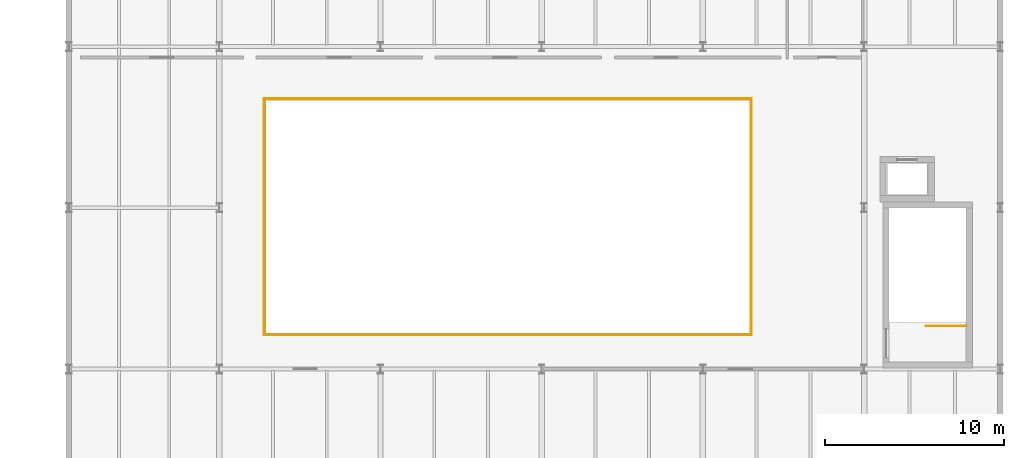
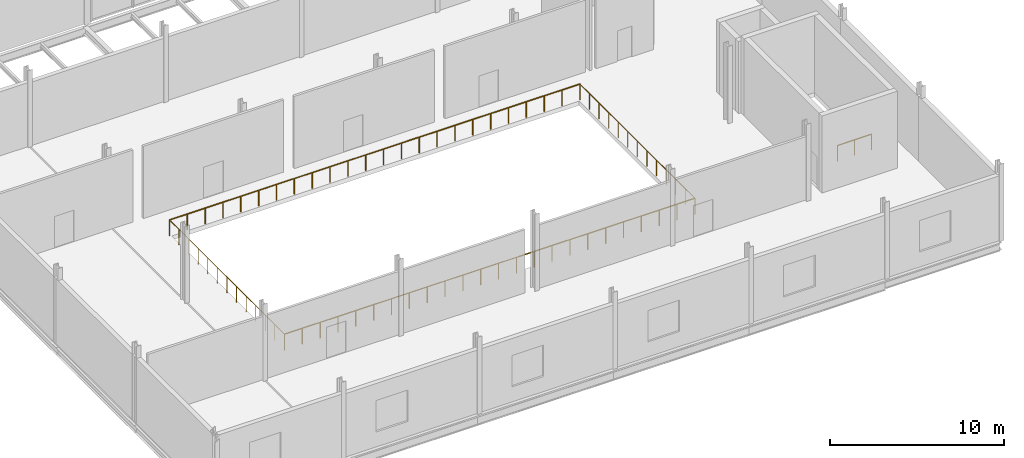
# One storey, part 75 of 78: 5 railings.
"""IFC4 building model written with IfcOpenShell, lengths in metres."""

from ifc_helpers import new_model, si_unit, direction, frame, origin, origin_2d, place, context, subcontext, project, spatial, circle, extrude, material, type_object, element, save


model = new_model("IFC4")

# Units and contexts
model_context = context("Model", 3, precision=1e-05, world=origin(), true_north=direction((0.0, 1.0)))
body_context = subcontext(model_context, "Body", "Model", "MODEL_VIEW")
ifc_project = project(units=[si_unit("LENGTHUNIT", "METRE"), si_unit("AREAUNIT", "SQUARE_METRE"), si_unit("VOLUMEUNIT", "CUBIC_METRE"), si_unit("PLANEANGLEUNIT", "RADIAN"), si_unit("MASSUNIT", "GRAM", prefix="KILO")], contexts=[model_context])

# Site, building, storey
site_placement = place(None, origin())
site = spatial("IfcSite", under=ifc_project, at=site_placement, CompositionType="ELEMENT")
building_placement = place(site_placement, origin())
building = spatial("IfcBuilding", under=site, at=building_placement, Name="Sefraquen Railside Congress Hotel", CompositionType="ELEMENT")
storey_placement = place(building_placement, frame((0.0, 0.0, 6.0)))
storey = spatial("IfcBuildingStorey", under=building, at=storey_placement, Name="L01", CompositionType="ELEMENT", Elevation=6.0)

# Railings
ifc_material = material(Name="Patinated wrought architectural bronze", Category="metal")
railing_type = type_object("IfcRailingType", Name="TRL-BAL-110", PredefinedType="BALUSTRADE", material=ifc_material)
railing_1_placement = place(storey_placement, frame((130.89990234375, 19.89990234375, 0.0)))
element("IfcRailing", 1, at=railing_1_placement, inside=storey, type_object=railing_type, Name="Thermal Spa L01 pool overlook gallery guard", PredefinedType="BALUSTRADE", context=body_context, shape_type="SweptSolid", body=[
    extrude(circle(Radius=0.02392578125, at=origin_2d()), frame((0.0, 0.0, 1.09619140625), z_axis=(1.0, 0.0, 0.0), x_axis=(0.0, 1.0, 0.0)), (0.0, 0.0, 1.0), 27.2001953125),
    extrude(circle(Radius=0.02099609375, at=origin_2d()), origin(), (0.0, 0.0, 1.0), 1.072021484375),
    extrude(circle(Radius=0.02099609375, at=origin_2d()), frame((1.1826171875, 0.0, 0.0)), (0.0, 0.0, 1.0), 1.072021484375),
    extrude(circle(Radius=0.02099609375, at=origin_2d()), frame((2.365234375, 0.0, 0.0)), (0.0, 0.0, 1.0), 1.072021484375),
    extrude(circle(Radius=0.02099609375, at=origin_2d()), frame((3.5478515625, 0.0, 0.0)), (0.0, 0.0, 1.0), 1.072021484375),
    extrude(circle(Radius=0.02099609375, at=origin_2d()), frame((4.73046875, 0.0, 0.0)), (0.0, 0.0, 1.0), 1.072021484375),
    extrude(circle(Radius=0.02099609375, at=origin_2d()), frame((5.9130859375, 0.0, 0.0)), (0.0, 0.0, 1.0), 1.072021484375),
    extrude(circle(Radius=0.02099609375, at=origin_2d()), frame((7.095703125, 0.0, 0.0)), (0.0, 0.0, 1.0), 1.072021484375),
    extrude(circle(Radius=0.02099609375, at=origin_2d()), frame((8.2783203125, 0.0, 0.0)), (0.0, 0.0, 1.0), 1.072021484375),
    extrude(circle(Radius=0.02099609375, at=origin_2d()), frame((9.4609375, 0.0, 0.0)), (0.0, 0.0, 1.0), 1.072021484375),
    extrude(circle(Radius=0.02099609375, at=origin_2d()), frame((10.6435546875, 0.0, 0.0)), (0.0, 0.0, 1.0), 1.072021484375),
    extrude(circle(Radius=0.02099609375, at=origin_2d()), frame((11.826171875, 0.0, 0.0)), (0.0, 0.0, 1.0), 1.072021484375),
    extrude(circle(Radius=0.02099609375, at=origin_2d()), frame((13.0087890625, 0.0, 0.0)), (0.0, 0.0, 1.0), 1.072021484375),
    extrude(circle(Radius=0.02099609375, at=origin_2d()), frame((14.19140625, 0.0, 0.0)), (0.0, 0.0, 1.0), 1.072021484375),
    extrude(circle(Radius=0.02099609375, at=origin_2d()), frame((15.3740234375, 0.0, 0.0)), (0.0, 0.0, 1.0), 1.072021484375),
    extrude(circle(Radius=0.02099609375, at=origin_2d()), frame((16.556640625, 0.0, 0.0)), (0.0, 0.0, 1.0), 1.072021484375),
    extrude(circle(Radius=0.02099609375, at=origin_2d()), frame((17.7392578125, 0.0, 0.0)), (0.0, 0.0, 1.0), 1.072021484375),
    extrude(circle(Radius=0.02099609375, at=origin_2d()), frame((18.921875, 0.0, 0.0)), (0.0, 0.0, 1.0), 1.072021484375),
    extrude(circle(Radius=0.02099609375, at=origin_2d()), frame((20.1044921875, 0.0, 0.0)), (0.0, 0.0, 1.0), 1.072021484375),
    extrude(circle(Radius=0.02099609375, at=origin_2d()), frame((21.287109375, 0.0, 0.0)), (0.0, 0.0, 1.0), 1.072021484375),
    extrude(circle(Radius=0.02099609375, at=origin_2d()), frame((22.4697265625, 0.0, 0.0)), (0.0, 0.0, 1.0), 1.072021484375),
    extrude(circle(Radius=0.02099609375, at=origin_2d()), frame((23.65234375, 0.0, 0.0)), (0.0, 0.0, 1.0), 1.072021484375),
    extrude(circle(Radius=0.02099609375, at=origin_2d()), frame((24.8349609375, 0.0, 0.0)), (0.0, 0.0, 1.0), 1.072021484375),
    extrude(circle(Radius=0.02099609375, at=origin_2d()), frame((26.017578125, 0.0, 0.0)), (0.0, 0.0, 1.0), 1.072021484375),
    extrude(circle(Radius=0.02099609375, at=origin_2d()), frame((27.2001953125, 0.0, 0.0)), (0.0, 0.0, 1.0), 1.072021484375),
])
railing_2_placement = place(storey_placement, frame((158.10009765625, 19.89990234375, 0.0)))
element("IfcRailing", 2, at=railing_2_placement, inside=storey, type_object=railing_type, Name="Thermal Spa L01 pool overlook gallery guard", PredefinedType="BALUSTRADE", context=body_context, shape_type="SweptSolid", body=[
    extrude(circle(Radius=0.02392578125, at=origin_2d()), frame((0.0, 0.0, 1.09619140625), z_axis=(0.0, 1.0, 0.0), x_axis=(-1.0, 0.0, 0.0)), (0.0, 0.0, 1.0), 13.2001953125),
    extrude(circle(Radius=0.02099609375, at=origin_2d()), origin(), (0.0, 0.0, 1.0), 1.072021484375),
    extrude(circle(Radius=0.02099609375, at=origin_2d()), frame((0.0, 1.10009765625, 0.0)), (0.0, 0.0, 1.0), 1.072021484375),
    extrude(circle(Radius=0.02099609375, at=origin_2d()), frame((0.0, 2.199951171875, 0.0)), (0.0, 0.0, 1.0), 1.072021484375),
    extrude(circle(Radius=0.02099609375, at=origin_2d()), frame((0.0, 3.300048828125, 0.0)), (0.0, 0.0, 1.0), 1.072021484375),
    extrude(circle(Radius=0.02099609375, at=origin_2d()), frame((0.0, 4.400146484375, 0.0)), (0.0, 0.0, 1.0), 1.072021484375),
    extrude(circle(Radius=0.02099609375, at=origin_2d()), frame((0.0, 5.5, 0.0)), (0.0, 0.0, 1.0), 1.072021484375),
    extrude(circle(Radius=0.02099609375, at=origin_2d()), frame((0.0, 6.60009765625, 0.0)), (0.0, 0.0, 1.0), 1.072021484375),
    extrude(circle(Radius=0.02099609375, at=origin_2d()), frame((0.0, 7.7001953125, 0.0)), (0.0, 0.0, 1.0), 1.072021484375),
    extrude(circle(Radius=0.02099609375, at=origin_2d()), frame((0.0, 8.800048828125, 0.0)), (0.0, 0.0, 1.0), 1.072021484375),
    extrude(circle(Radius=0.02099609375, at=origin_2d()), frame((0.0, 9.900146484375, 0.0)), (0.0, 0.0, 1.0), 1.072021484375),
    extrude(circle(Radius=0.02099609375, at=origin_2d()), frame((0.0, 11.000244140625, 0.0)), (0.0, 0.0, 1.0), 1.072021484375),
    extrude(circle(Radius=0.02099609375, at=origin_2d()), frame((0.0, 12.10009765625, 0.0)), (0.0, 0.0, 1.0), 1.072021484375),
    extrude(circle(Radius=0.02099609375, at=origin_2d()), frame((0.0, 13.2001953125, 0.0)), (0.0, 0.0, 1.0), 1.072021484375),
])
railing_3_placement = place(storey_placement, frame((158.10009765625, 33.10009765625, 0.0)))
element("IfcRailing", 3, at=railing_3_placement, inside=storey, type_object=railing_type, Name="Thermal Spa L01 pool overlook gallery guard", PredefinedType="BALUSTRADE", context=body_context, shape_type="SweptSolid", body=[
    extrude(circle(Radius=0.02392578125, at=origin_2d()), frame((0.0, 0.0, 1.09619140625), z_axis=(-1.0, 0.0, 0.0), x_axis=(0.0, -1.0, 0.0)), (0.0, 0.0, 1.0), 27.2001953125),
    extrude(circle(Radius=0.02099609375, at=origin_2d()), origin(), (0.0, 0.0, 1.0), 1.072021484375),
    extrude(circle(Radius=0.02099609375, at=origin_2d()), frame((-1.1826171875, 0.0, 0.0)), (0.0, 0.0, 1.0), 1.072021484375),
    extrude(circle(Radius=0.02099609375, at=origin_2d()), frame((-2.365234375, 0.0, 0.0)), (0.0, 0.0, 1.0), 1.072021484375),
    extrude(circle(Radius=0.02099609375, at=origin_2d()), frame((-3.5478515625, 0.0, 0.0)), (0.0, 0.0, 1.0), 1.072021484375),
    extrude(circle(Radius=0.02099609375, at=origin_2d()), frame((-4.73046875, 0.0, 0.0)), (0.0, 0.0, 1.0), 1.072021484375),
    extrude(circle(Radius=0.02099609375, at=origin_2d()), frame((-5.9130859375, 0.0, 0.0)), (0.0, 0.0, 1.0), 1.072021484375),
    extrude(circle(Radius=0.02099609375, at=origin_2d()), frame((-7.095703125, 0.0, 0.0)), (0.0, 0.0, 1.0), 1.072021484375),
    extrude(circle(Radius=0.02099609375, at=origin_2d()), frame((-8.2783203125, 0.0, 0.0)), (0.0, 0.0, 1.0), 1.072021484375),
    extrude(circle(Radius=0.02099609375, at=origin_2d()), frame((-9.4609375, 0.0, 0.0)), (0.0, 0.0, 1.0), 1.072021484375),
    extrude(circle(Radius=0.02099609375, at=origin_2d()), frame((-10.6435546875, 0.0, 0.0)), (0.0, 0.0, 1.0), 1.072021484375),
    extrude(circle(Radius=0.02099609375, at=origin_2d()), frame((-11.826171875, 0.0, 0.0)), (0.0, 0.0, 1.0), 1.072021484375),
    extrude(circle(Radius=0.02099609375, at=origin_2d()), frame((-13.0087890625, 0.0, 0.0)), (0.0, 0.0, 1.0), 1.072021484375),
    extrude(circle(Radius=0.02099609375, at=origin_2d()), frame((-14.19140625, 0.0, 0.0)), (0.0, 0.0, 1.0), 1.072021484375),
    extrude(circle(Radius=0.02099609375, at=origin_2d()), frame((-15.3740234375, 0.0, 0.0)), (0.0, 0.0, 1.0), 1.072021484375),
    extrude(circle(Radius=0.02099609375, at=origin_2d()), frame((-16.556640625, 0.0, 0.0)), (0.0, 0.0, 1.0), 1.072021484375),
    extrude(circle(Radius=0.02099609375, at=origin_2d()), frame((-17.7392578125, 0.0, 0.0)), (0.0, 0.0, 1.0), 1.072021484375),
    extrude(circle(Radius=0.02099609375, at=origin_2d()), frame((-18.921875, 0.0, 0.0)), (0.0, 0.0, 1.0), 1.072021484375),
    extrude(circle(Radius=0.02099609375, at=origin_2d()), frame((-20.1044921875, 0.0, 0.0)), (0.0, 0.0, 1.0), 1.072021484375),
    extrude(circle(Radius=0.02099609375, at=origin_2d()), frame((-21.287109375, 0.0, 0.0)), (0.0, 0.0, 1.0), 1.072021484375),
    extrude(circle(Radius=0.02099609375, at=origin_2d()), frame((-22.4697265625, 0.0, 0.0)), (0.0, 0.0, 1.0), 1.072021484375),
    extrude(circle(Radius=0.02099609375, at=origin_2d()), frame((-23.65234375, 0.0, 0.0)), (0.0, 0.0, 1.0), 1.072021484375),
    extrude(circle(Radius=0.02099609375, at=origin_2d()), frame((-24.8349609375, 0.0, 0.0)), (0.0, 0.0, 1.0), 1.072021484375),
    extrude(circle(Radius=0.02099609375, at=origin_2d()), frame((-26.017578125, 0.0, 0.0)), (0.0, 0.0, 1.0), 1.072021484375),
    extrude(circle(Radius=0.02099609375, at=origin_2d()), frame((-27.2001953125, 0.0, 0.0)), (0.0, 0.0, 1.0), 1.072021484375),
])
railing_4_placement = place(storey_placement, frame((130.89990234375, 33.10009765625, 0.0)))
element("IfcRailing", 4, at=railing_4_placement, inside=storey, type_object=railing_type, Name="Thermal Spa L01 pool overlook gallery guard", PredefinedType="BALUSTRADE", context=body_context, shape_type="SweptSolid", body=[
    extrude(circle(Radius=0.02392578125, at=origin_2d()), frame((0.0, 0.0, 1.09619140625), z_axis=(0.0, -1.0, 0.0), x_axis=(1.0, 0.0, 0.0)), (0.0, 0.0, 1.0), 13.2001953125),
    extrude(circle(Radius=0.02099609375, at=origin_2d()), origin(), (0.0, 0.0, 1.0), 1.072021484375),
    extrude(circle(Radius=0.02099609375, at=origin_2d()), frame((0.0, -1.10009765625, 0.0)), (0.0, 0.0, 1.0), 1.072021484375),
    extrude(circle(Radius=0.02099609375, at=origin_2d()), frame((0.0, -2.199951171875, 0.0)), (0.0, 0.0, 1.0), 1.072021484375),
    extrude(circle(Radius=0.02099609375, at=origin_2d()), frame((0.0, -3.300048828125, 0.0)), (0.0, 0.0, 1.0), 1.072021484375),
    extrude(circle(Radius=0.02099609375, at=origin_2d()), frame((0.0, -4.400146484375, 0.0)), (0.0, 0.0, 1.0), 1.072021484375),
    extrude(circle(Radius=0.02099609375, at=origin_2d()), frame((0.0, -5.5, 0.0)), (0.0, 0.0, 1.0), 1.072021484375),
    extrude(circle(Radius=0.02099609375, at=origin_2d()), frame((0.0, -6.60009765625, 0.0)), (0.0, 0.0, 1.0), 1.072021484375),
    extrude(circle(Radius=0.02099609375, at=origin_2d()), frame((0.0, -7.7001953125, 0.0)), (0.0, 0.0, 1.0), 1.072021484375),
    extrude(circle(Radius=0.02099609375, at=origin_2d()), frame((0.0, -8.800048828125, 0.0)), (0.0, 0.0, 1.0), 1.072021484375),
    extrude(circle(Radius=0.02099609375, at=origin_2d()), frame((0.0, -9.900146484375, 0.0)), (0.0, 0.0, 1.0), 1.072021484375),
    extrude(circle(Radius=0.02099609375, at=origin_2d()), frame((0.0, -11.000244140625, 0.0)), (0.0, 0.0, 1.0), 1.072021484375),
    extrude(circle(Radius=0.02099609375, at=origin_2d()), frame((0.0, -12.10009765625, 0.0)), (0.0, 0.0, 1.0), 1.072021484375),
    extrude(circle(Radius=0.02099609375, at=origin_2d()), frame((0.0, -13.2001953125, 0.0)), (0.0, 0.0, 1.0), 1.072021484375),
])
railing_5_placement = place(storey_placement, frame((170.10009765625, 20.39990234375, 0.0)))
element("IfcRailing", 5, at=railing_5_placement, inside=storey, type_object=railing_type, Name="L01 ST-S01 top well guard 1", PredefinedType="BALUSTRADE", context=body_context, shape_type="SweptSolid", body=[
    extrude(circle(Radius=0.02392578125, at=origin_2d()), frame((0.0, 0.0, 1.076171875), z_axis=(-1.0, 0.0, 0.0), x_axis=(0.0, -1.0, 0.0)), (0.0, 0.0, 1.0), 2.25),
    extrude(circle(Radius=0.02099609375, at=origin_2d()), origin(), (0.0, 0.0, 1.0), 1.052001953125),
    extrude(circle(Radius=0.02099609375, at=origin_2d()), frame((-1.125, 0.0, 0.0)), (0.0, 0.0, 1.0), 1.052001953125),
    extrude(circle(Radius=0.02099609375, at=origin_2d()), frame((-2.25, 0.0, 0.0)), (0.0, 0.0, 1.0), 1.052001953125),
])

save(model, "model.ifc")
